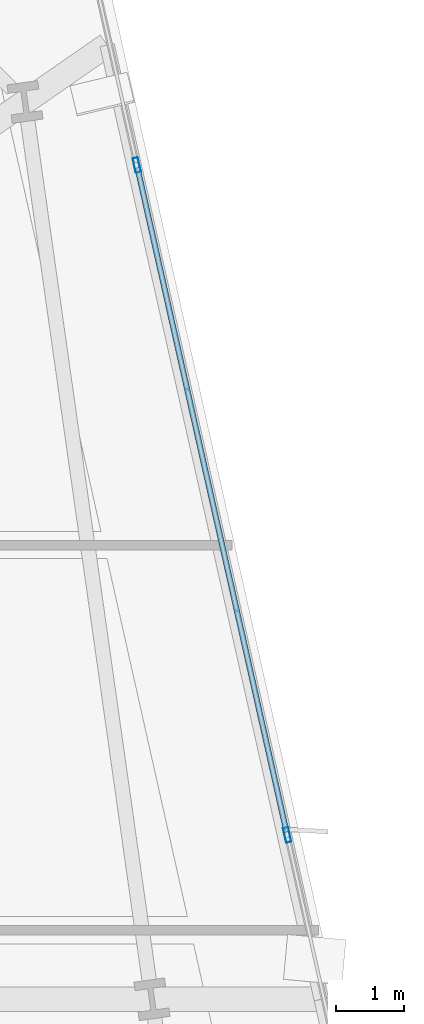
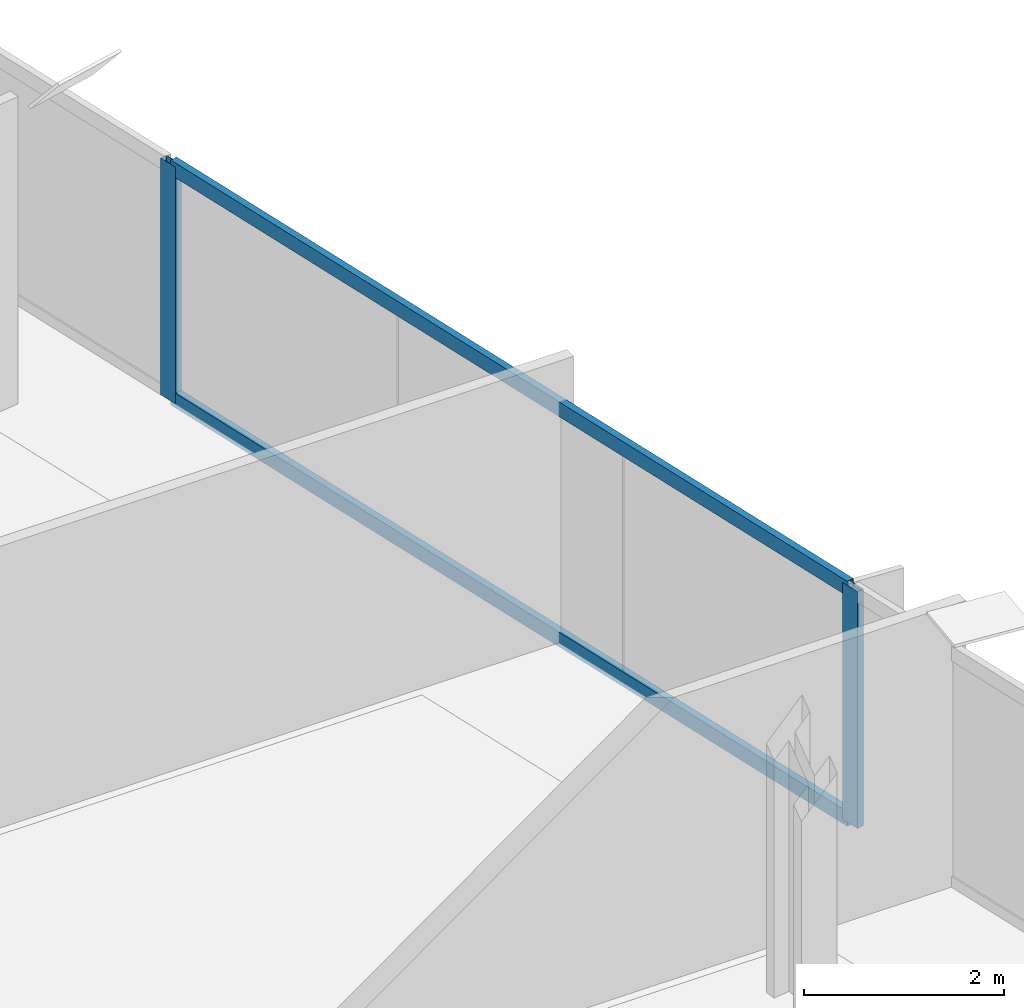
# One storey, part 19 of 32: 4 members, 1 element without a shape of its own.
"""IFC4 building model written with IfcOpenShell, lengths in metres."""

from ifc_helpers import new_model, si_unit, direction, frame, origin, origin_2d, place, context, subcontext, project, spatial, hollow_rectangle, extrude, material, material_profile, profile_set, type_object, element, aggregate, save


model = new_model("IFC4")

# Units and contexts
model_context = context("Model", 3, precision=1e-05, world=origin(), true_north=direction((0.0, 1.0)))
body_context = subcontext(model_context, "Body", "Model", "MODEL_VIEW")
ifc_project = project(units=[si_unit("LENGTHUNIT", "METRE"), si_unit("AREAUNIT", "SQUARE_METRE"), si_unit("VOLUMEUNIT", "CUBIC_METRE"), si_unit("PLANEANGLEUNIT", "RADIAN"), si_unit("MASSUNIT", "GRAM", prefix="KILO")], contexts=[model_context])

# Site, building, storey
site_placement = place(None, origin())
site = spatial("IfcSite", under=ifc_project, at=site_placement, CompositionType="ELEMENT")
building_placement = place(site_placement, origin())
building = spatial("IfcBuilding", under=site, at=building_placement, Name="Haldenkirk Collegiate Tower", CompositionType="ELEMENT")
storey_placement = place(building_placement, frame((0.0, 0.0, 70.199951171875)))
storey = spatial("IfcBuildingStorey", under=building, at=storey_placement, Name="L16", CompositionType="ELEMENT", Elevation=70.199951171875)

# Curtain wall, members
ifc_material = material(Name="Anodised architectural bronze aluminium", Category="aluminium")
curtain_wall_type = type_object("IfcCurtainWallType", Name="CW-SYS1-CONVEX-LOW", PredefinedType="USERDEFINED", material=ifc_material)
curtain_wall_placement = place(storey_placement, origin())
curtain_wall = element("IfcCurtainWall", 1, at=curtain_wall_placement, inside=storey, type_object=curtain_wall_type, Name="L16 Lower tower convex bronze-framed unitised curtain wall", ObjectType="UNITISED CURTAIN WALL", PredefinedType="USERDEFINED")
ifc_material_profile_1 = material_profile(ifc_material, hollow_rectangle(XDim=0.080078125, YDim=0.219970703125, WallThickness=0.0048828125, at=origin_2d()), Name="CW-MUL-1A")
ifc_profile_set_1 = profile_set([ifc_material_profile_1], Name="Anodised architectural bronze aluminium")
member_type_1 = type_object("IfcMemberType", Name="CW-MUL-1A", PredefinedType="MULLION", material=ifc_profile_set_1)
member_1_placement = place(storey_placement, frame((59.5322265625, 42.023681640625, 0.0), z_axis=(0.0, 0.0, 1.0), x_axis=(0.975725911178, 0.218995311037, 0.0)))
member_1 = element("IfcMember", 2, at=member_1_placement, type_object=member_type_1, Name="CW-1A mullion 2", PredefinedType="MULLION", context=body_context, shape_type="SweptSolid", body=[
    extrude(hollow_rectangle(XDim=0.080078125, YDim=0.219970703125, WallThickness=0.0048828125, at=origin_2d()), origin(), (0.0, 0.0, 1.0), 2.89111328125),
])
member_2_placement = place(storey_placement, frame((61.7373046875, 32.19921875, 0.0), z_axis=(0.0, 0.0, 1.0), x_axis=(0.975725911178, 0.218995311037, 0.0)))
member_2 = element("IfcMember", 3, at=member_2_placement, type_object=member_type_1, Name="CW-1A mullion 3", PredefinedType="MULLION", context=body_context, shape_type="SweptSolid", body=[
    extrude(hollow_rectangle(XDim=0.080078125, YDim=0.219970703125, WallThickness=0.0048828125, at=origin_2d()), origin(), (0.0, 0.0, 1.0), 2.89111328125),
])
ifc_material_profile_2 = material_profile(ifc_material, hollow_rectangle(XDim=0.080078125, YDim=0.179931640625, WallThickness=0.0048828125, at=origin_2d()), Name="CW-TRN-1A")
ifc_profile_set_2 = profile_set([ifc_material_profile_2], Name="Anodised architectural bronze aluminium")
member_type_2 = type_object("IfcMemberType", Name="CW-TRN-1A", PredefinedType="USERDEFINED", material=ifc_profile_set_2)
member_3_placement = place(storey_placement, frame((59.541015625, 41.984619140625, 0.0400390625), z_axis=(0.218995128652, -0.975725952113, 0.0), x_axis=(0.975725952113, 0.218995128652, 0.0)))
member_3 = element("IfcMember", 4, at=member_3_placement, type_object=member_type_2, Name="CW-1A transom 2.1", ObjectType="TRANSOM", PredefinedType="USERDEFINED", context=body_context, shape_type="SweptSolid", body=[
    extrude(hollow_rectangle(XDim=0.080078125, YDim=0.179931640625, WallThickness=0.0048828125, at=origin_2d()), origin(), (0.0, 0.0, 1.0), 9.98876953125),
])
member_4_placement = place(storey_placement, frame((59.541015625, 41.984619140625, 2.85107421875), z_axis=(0.218995128652, -0.975725952113, 0.0), x_axis=(0.975725952113, 0.218995128652, 0.0)))
member_4 = element("IfcMember", 5, at=member_4_placement, type_object=member_type_2, Name="CW-1A transom 2.2", ObjectType="TRANSOM", PredefinedType="USERDEFINED", context=body_context, shape_type="SweptSolid", body=[
    extrude(hollow_rectangle(XDim=0.080078125, YDim=0.179931640625, WallThickness=0.0048828125, at=origin_2d()), origin(), (0.0, 0.0, 1.0), 9.98876953125),
])
aggregate(curtain_wall, [member_1, member_2, member_3, member_4])

save(model, "model.ifc")
